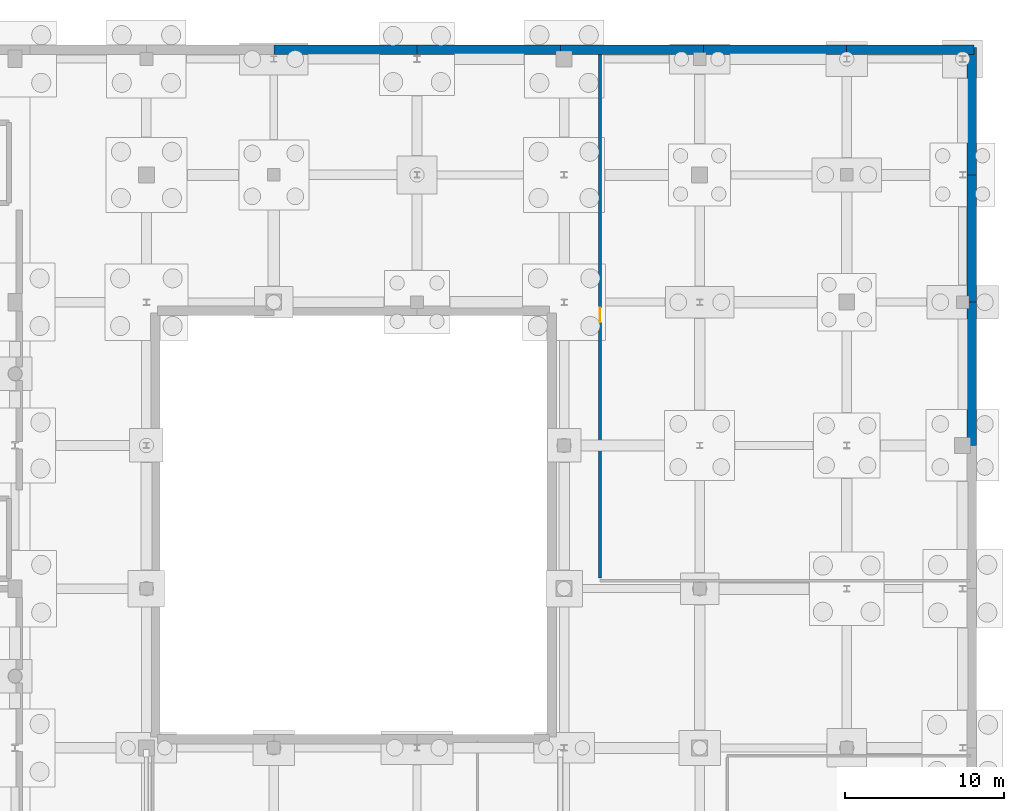
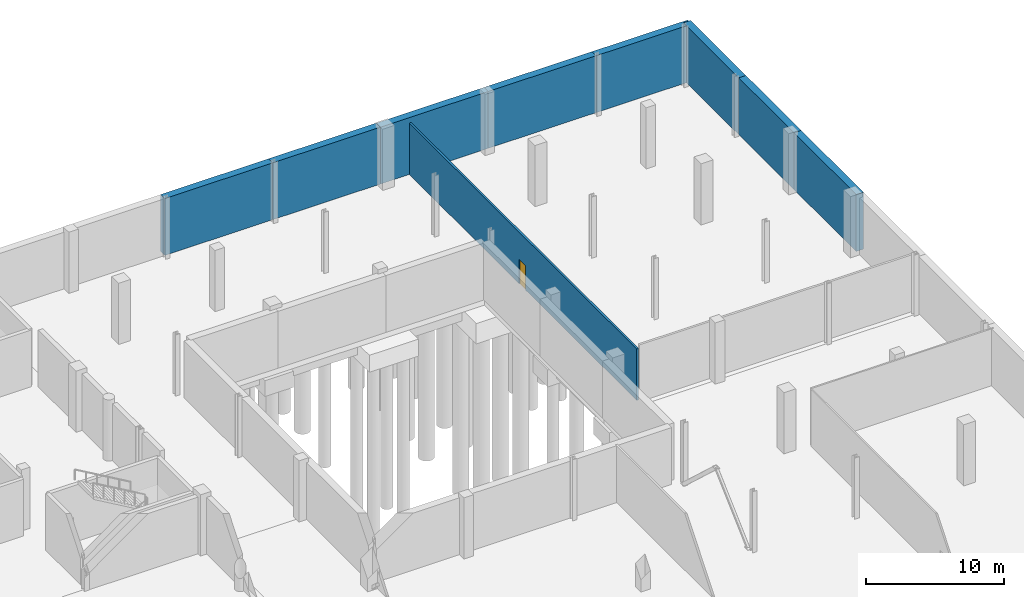
# One storey, part 50 of 60: 9 walls, 1 door, 1 opening.
"""IFC4 building model written with IfcOpenShell, lengths in metres."""

from ifc_helpers import new_model, si_unit, direction, frame, frame_2d, origin, place, context, subcontext, project, spatial, rectangle, extrude, material, layer, layer_set, type_object, element, fill, save


model = new_model("IFC4")

# Units and contexts
model_context = context("Model", 3, precision=1e-05, world=origin(), true_north=direction((0.0, 1.0)))
body_context = subcontext(model_context, "Body", "Model", "MODEL_VIEW")
ifc_project = project(units=[si_unit("LENGTHUNIT", "METRE"), si_unit("AREAUNIT", "SQUARE_METRE"), si_unit("VOLUMEUNIT", "CUBIC_METRE"), si_unit("PLANEANGLEUNIT", "RADIAN"), si_unit("MASSUNIT", "GRAM", prefix="KILO")], contexts=[model_context])

# Site, building, storey
site_placement = place(None, origin())
site = spatial("IfcSite", under=ifc_project, at=site_placement, CompositionType="ELEMENT")
building_placement = place(site_placement, origin())
building = spatial("IfcBuilding", under=site, at=building_placement, Name="Trimount Lyric Opera House", CompositionType="ELEMENT")
storey_placement = place(building_placement, frame((0.0, 0.0, -5.39990234375)))
storey = spatial("IfcBuildingStorey", under=building, at=storey_placement, Name="B1", CompositionType="ELEMENT", Elevation=-5.39990234375)

# Wall, opening, door
ifc_material_1 = material(Name="Acoustic Double-Stud Gypsum Board")
ifc_layer_1 = layer(ifc_material_1, 0.1650390625)
ifc_layer_set_1 = layer_set([ifc_layer_1], Name="WL-PT165")
wall_type_1 = type_object("IfcWallType", Name="WL-PT165", PredefinedType="PARTITIONING", material=ifc_layer_set_1)
wall_1_placement = place(storey_placement, frame((150.5, 117.719970703125, 0.0), z_axis=(0.0, 0.0, 1.0), x_axis=(0.0, -1.0, 0.0)))
wall_1 = element("IfcWall", 1, at=wall_1_placement, inside=storey, type_object=wall_type_1, Name="B1 Stage Automation Lab W partition", PredefinedType="PARTITIONING", context=body_context, shape_type="SweptSolid", body=[
    extrude(rectangle(XDim=33.054931640625, YDim=0.1650390625, at=frame_2d((16.52734375, 0.0))), origin(), (0.0, 0.0, 1.0), 4.54296875),
])
opening_placement = place(wall_1_placement, frame((16.0673828125, 0.0, 0.0)))
opening = element("IfcOpeningElement", 2, at=opening_placement, cuts=wall_1, Name="Opening DT-PL2", PredefinedType="OPENING", context=body_context, shape_type="SweptSolid", body=[
    extrude(rectangle(XDim=0.919921875, YDim=2.14990234375, at=frame_2d((0.4599609375, 1.074951171875))), frame((0.0, 0.092529296875, 0.0), z_axis=(0.0, -1.0, 0.0), x_axis=(1.0, 0.0, 0.0)), (0.0, 0.0, 1.0), 0.18505859375),
])
ifc_material_2 = material(Name="Fire-Rated Painted Steel", Category="steel")
door_type = type_object("IfcDoorType", Name="DT-PL2", OperationType="NOTDEFINED", PredefinedType="DOOR", material=ifc_material_2)
door_placement = place(opening_placement, origin())
door = element("IfcDoor", 3, at=door_placement, inside=storey, type_object=door_type, Name="D-172", OperationType="SINGLE_SWING_RIGHT", OverallHeight=2.14990234375, OverallWidth=0.919921875, PredefinedType="DOOR", context=body_context, shape_type="SweptSolid", body=[
    extrude(rectangle(XDim=0.919921875, YDim=2.14990234375, at=frame_2d((0.4599609375, 1.074951171875))), frame((0.0, 0.02490234375, 0.0), z_axis=(0.0, -1.0, 0.0), x_axis=(1.0, 0.0, 0.0)), (0.0, 0.0, 1.0), 0.050048828125),
])
fill(opening, door)

# Walls
ifc_material_3 = material(Name="Concrete C40/50", Category="concrete")
ifc_layer_2 = layer(ifc_material_3, 0.60009765625)
ifc_layer_set_2 = layer_set([ifc_layer_2], Name="WL-RET600")
wall_type_2 = type_object("IfcWallType", Name="WL-RET600", PredefinedType="USERDEFINED", material=ifc_layer_set_2)
for number, where, z_axis, x_axis, name in (
    (4, (130.0, 117.860107421875, 0.0), (0.0, 0.0, 1.0), (1.0, 0.0, 0.0), "B1 exterior retaining wall 023"),
    (5, (139.0, 117.860107421875, 0.0), (0.0, 0.0, 1.0), (1.0, 0.0, 0.0), "B1 exterior retaining wall 024"),
    (6, (148.0, 117.860107421875, 0.0), (0.0, 0.0, 1.0), (1.0, 0.0, 0.0), "B1 exterior retaining wall 025"),
    (7, (157.0, 117.860107421875, 0.0), (0.0, 0.0, 1.0), (1.0, 0.0, 0.0), "B1 exterior retaining wall 026"),
):
    element("IfcWall", number, at=place(storey_placement, frame(where, z_axis=z_axis, x_axis=x_axis)), inside=storey, type_object=wall_type_2, Name=name, ObjectType="RETAININGWALL", PredefinedType="USERDEFINED", context=body_context, shape_type="SweptSolid", body=[
        extrude(rectangle(XDim=9.0, YDim=0.60009765625, at=frame_2d((4.5, 0.0))), origin(), (0.0, 0.0, 1.0), 5.02001953125),
    ])
for number, where, z_axis, x_axis, name in (
    (8, (166.0, 117.860107421875, 0.0), (0.0, 0.0, 1.0), (1.0, 0.0, 0.0), "B1 exterior retaining wall 027"),
    (9, (173.860107421875, 118.0, 0.0), (0.0, 0.0, 1.0), (0.0, -1.0, 0.0), "B1 exterior retaining wall 028"),
    (10, (173.860107421875, 110.0, 0.0), (0.0, 0.0, 1.0), (0.0, -1.0, 0.0), "B1 exterior retaining wall 029"),
):
    element("IfcWall", number, at=place(storey_placement, frame(where, z_axis=z_axis, x_axis=x_axis)), inside=storey, type_object=wall_type_2, Name=name, ObjectType="RETAININGWALL", PredefinedType="USERDEFINED", context=body_context, shape_type="SweptSolid", body=[
        extrude(rectangle(XDim=8.0, YDim=0.60009765625, at=frame_2d((4.0, 0.0))), origin(), (0.0, 0.0, 1.0), 5.02001953125),
    ])
wall_2_placement = place(storey_placement, frame((173.860107421875, 102.0, 0.0), z_axis=(0.0, 0.0, 1.0), x_axis=(0.0, -1.0, 0.0)))
element("IfcWall", 11, at=wall_2_placement, inside=storey, type_object=wall_type_2, Name="B1 exterior retaining wall 030", ObjectType="RETAININGWALL", PredefinedType="USERDEFINED", context=body_context, shape_type="SweptSolid", body=[
    extrude(rectangle(XDim=9.0, YDim=0.60009765625, at=frame_2d((4.5, 0.0))), origin(), (0.0, 0.0, 1.0), 5.02001953125),
])

save(model, "model.ifc")
